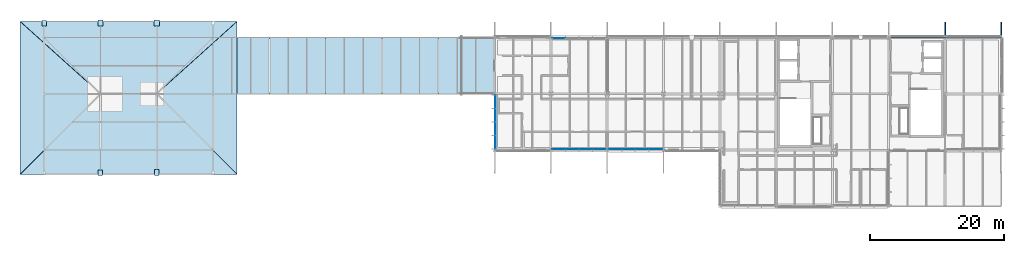
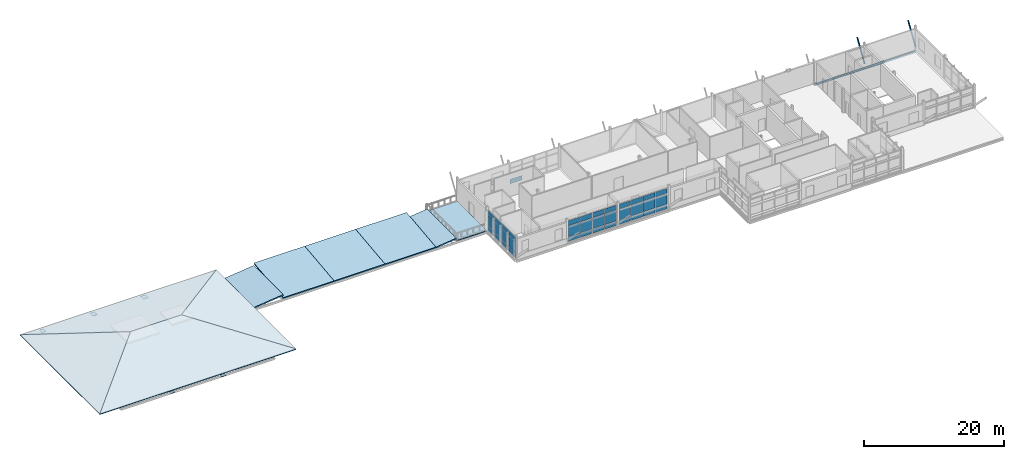
# One storey, part 26 of 35: 42 plates, 10 slabs, 2 beams, 2 members, 5 elements without a shape of their own.
"""IFC4 building model written with IfcOpenShell, lengths in metres."""

from ifc_helpers import new_model, si_unit, direction, frame, origin, origin_2d, place, context, subcontext, project, spatial, polyline, rectangle, hollow_rectangle, i_section, outline, extrude, material, layer, layer_set, material_profile, profile_set, type_object, element, aggregate, save


model = new_model("IFC4")

# Units and contexts
model_context = context("Model", 3, precision=1e-05, world=origin(), true_north=direction((0.0, 1.0)))
body_context = subcontext(model_context, "Body", "Model", "MODEL_VIEW")
ifc_project = project(units=[si_unit("LENGTHUNIT", "METRE"), si_unit("AREAUNIT", "SQUARE_METRE"), si_unit("VOLUMEUNIT", "CUBIC_METRE"), si_unit("PLANEANGLEUNIT", "RADIAN"), si_unit("MASSUNIT", "GRAM", prefix="KILO")], contexts=[model_context])

# Site, building, storey
site_placement = place(None, origin())
site = spatial("IfcSite", under=ifc_project, at=site_placement, CompositionType="ELEMENT")
building_placement = place(site_placement, origin())
building = spatial("IfcBuilding", under=site, at=building_placement, Name="Mersafa Astral City Hall", CompositionType="ELEMENT")
storey_placement = place(building_placement, frame((0.0, 0.0, 30.14990234375)))
storey = spatial("IfcBuildingStorey", under=building, at=storey_placement, Name="L07", CompositionType="ELEMENT", Elevation=30.14990234375)

# Beams
ifc_material_1 = material(Name="Steel S355", Category="steel")
ifc_material_profile_1 = material_profile(ifc_material_1, i_section(OverallWidth=0.159912109375, OverallDepth=0.330078125, WebThickness=0.007568359375, FlangeThickness=0.011474609375, FilletRadius=0.01806640625, at=origin_2d()), Name="IPE 330")
ifc_profile_set_1 = profile_set([ifc_material_profile_1], Name="Steel S355")
beam_type_1 = type_object("IfcBeamType", Name="STR-BM-SPANDREL-IPE330", PredefinedType="SPANDREL", material=ifc_profile_set_1)
beam_1_placement = place(storey_placement, frame((168.0029296875, 126.0, -0.33984375), z_axis=(1.0, 0.0, 0.0), x_axis=(0.0, 1.0, 0.0)))
element("IfcBeam", 1, at=beam_1_placement, inside=storey, type_object=beam_type_1, Name="L07 Primary girder X 20-15", PredefinedType="SPANDREL", context=body_context, shape_type="SweptSolid", body=[
    extrude(i_section(OverallWidth=0.159912109375, OverallDepth=0.330078125, WebThickness=0.007568359375, FlangeThickness=0.011474609375, FilletRadius=0.01806640625, at=origin_2d()), origin(), (0.0, 0.0, 1.0), 8.39404296875),
])
ifc_material_profile_2 = material_profile(ifc_material_1, i_section(OverallWidth=0.169921875, OverallDepth=0.360107421875, WebThickness=0.008056640625, FlangeThickness=0.0126953125, FilletRadius=0.01806640625, at=origin_2d()), Name="IPE 360")
ifc_profile_set_2 = profile_set([ifc_material_profile_2], Name="Steel S355")
beam_type_2 = type_object("IfcBeamType", Name="STR-BM-SPANDREL-IPE360", PredefinedType="SPANDREL", material=ifc_profile_set_2)
beam_2_placement = place(storey_placement, frame((176.403076171875, 126.0, -0.35498046875), z_axis=(1.0, 0.0, 0.0), x_axis=(0.0, 1.0, 0.0)))
element("IfcBeam", 2, at=beam_2_placement, inside=storey, type_object=beam_type_2, Name="L07 Primary girder X 21-15", PredefinedType="SPANDREL", context=body_context, shape_type="SweptSolid", body=[
    extrude(i_section(OverallWidth=0.169921875, OverallDepth=0.360107421875, WebThickness=0.008056640625, FlangeThickness=0.0126953125, FilletRadius=0.01806640625, at=origin_2d()), origin(), (0.0, 0.0, 1.0), 8.39404296875),
])

# Members
ifc_material_profile_3 = material_profile(ifc_material_1, hollow_rectangle(XDim=0.14990234375, YDim=0.25, WallThickness=0.010009765625, at=origin_2d()), Name="RHS 150x250x10")
ifc_profile_set_3 = profile_set([ifc_material_profile_3], Name="Steel S355")
member_type = type_object("IfcMemberType", Name="STR-MBR-STRUT-RHS150X250", PredefinedType="BRACE", material=ifc_profile_set_3)
for number, where, z_axis, x_axis, name in (
    (3, (176.39990234375, 126.0, 0.400146484375), (0.0, 0.535580111443, 0.844484425094), (-1.0, 0.0, 0.0), "L07 Raked cosmic eave strut ROOF-T6-V6 N-21"),
    (4, (184.800048828125, 126.0, 0.400146484375), (0.0, 0.535580111443, 0.844484425094), (-1.0, 0.0, 0.0), "L07 Raked cosmic eave strut ROOF-T6-V6 N-22"),
):
    element("IfcMember", number, at=place(storey_placement, frame(where, z_axis=z_axis, x_axis=x_axis)), inside=storey, type_object=member_type, Name=name, PredefinedType="BRACE", context=body_context, shape_type="SweptSolid", body=[
        extrude(hollow_rectangle(XDim=0.14990234375, YDim=0.25, WallThickness=0.010009765625, at=origin_2d()), origin(), (0.0, 0.0, 1.0), 4.01416015625),
    ])

# Curtain wall, plates
ifc_material_2 = material(Name="Anodised bronze aluminium framing", Category="aluminium")
curtain_wall_type_1 = type_object("IfcCurtainWallType", Name="ENV-CW-1", PredefinedType="USERDEFINED", material=ifc_material_2)
curtain_wall_1_placement = place(storey_placement, origin())
curtain_wall_1 = element("IfcCurtainWall", 5, at=curtain_wall_1_placement, inside=storey, type_object=curtain_wall_type_1, Name="L07 Unitised solar curtain wall 276", ObjectType="UNITISED CURTAIN WALL", PredefinedType="USERDEFINED")
ifc_material_3 = material(Name="Solar control low-e double glazing", Category="glass")
ifc_layer_1 = layer(ifc_material_3, 0.028076171875, Name="Solar control low-e double glazing")
ifc_layer_set_1 = layer_set([ifc_layer_1], Name="Solar control low-e double glazing — ENV-CW-PNL-GLZ-1")
plate_type_1 = type_object("IfcPlateType", Name="ENV-CW-PNL-GLZ-1", PredefinedType="CURTAIN_PANEL", material=ifc_layer_set_1)
plate_1_placement = place(storey_placement, frame((127.1865234375, 109.320068359375, 0.05810546875), z_axis=(0.0, 0.0, 1.0), x_axis=(1.0, 0.0, 0.0)))
plate_1 = element("IfcPlate", 6, at=plate_1_placement, type_object=plate_type_1, Name="CW-1 panel 1.1", PredefinedType="CURTAIN_PANEL", context=body_context, shape_type="SweptSolid", body=[
    extrude(rectangle(XDim=1.928955078125, YDim=0.028076171875, at=origin_2d()), origin(), (0.0, 0.0, 1.0), 0.761962890625),
])
plate_2_placement = place(storey_placement, frame((127.1865234375, 109.320068359375, 0.8798828125), z_axis=(0.0, 0.0, 1.0), x_axis=(1.0, 0.0, 0.0)))
plate_2 = element("IfcPlate", 7, at=plate_2_placement, type_object=plate_type_1, Name="CW-1 panel 1.2", PredefinedType="CURTAIN_PANEL", context=body_context, shape_type="SweptSolid", body=[
    extrude(rectangle(XDim=1.928955078125, YDim=0.028076171875, at=origin_2d()), origin(), (0.0, 0.0, 1.0), 1.840087890625),
])
plate_3_placement = place(storey_placement, frame((127.1865234375, 109.320068359375, 2.780029296875), z_axis=(0.0, 0.0, 1.0), x_axis=(1.0, 0.0, 0.0)))
plate_3 = element("IfcPlate", 8, at=plate_3_placement, type_object=plate_type_1, Name="CW-1 panel 1.3", PredefinedType="CURTAIN_PANEL", context=body_context, shape_type="SweptSolid", body=[
    extrude(rectangle(XDim=1.928955078125, YDim=0.028076171875, at=origin_2d()), origin(), (0.0, 0.0, 1.0), 0.8369140625),
])
plate_4_placement = place(storey_placement, frame((129.1904296875, 109.320068359375, 0.05810546875), z_axis=(0.0, 0.0, 1.0), x_axis=(1.0, 0.0, 0.0)))
plate_4 = element("IfcPlate", 9, at=plate_4_placement, type_object=plate_type_1, Name="CW-1 panel 2.1", PredefinedType="CURTAIN_PANEL", context=body_context, shape_type="SweptSolid", body=[
    extrude(rectangle(XDim=1.958984375, YDim=0.028076171875, at=origin_2d()), origin(), (0.0, 0.0, 1.0), 0.761962890625),
])
plate_5_placement = place(storey_placement, frame((129.1904296875, 109.320068359375, 0.8798828125), z_axis=(0.0, 0.0, 1.0), x_axis=(1.0, 0.0, 0.0)))
plate_5 = element("IfcPlate", 10, at=plate_5_placement, type_object=plate_type_1, Name="CW-1 panel 2.2", PredefinedType="CURTAIN_PANEL", context=body_context, shape_type="SweptSolid", body=[
    extrude(rectangle(XDim=1.958984375, YDim=0.028076171875, at=origin_2d()), origin(), (0.0, 0.0, 1.0), 1.840087890625),
])
plate_6_placement = place(storey_placement, frame((129.1904296875, 109.320068359375, 2.780029296875), z_axis=(0.0, 0.0, 1.0), x_axis=(1.0, 0.0, 0.0)))
plate_6 = element("IfcPlate", 11, at=plate_6_placement, type_object=plate_type_1, Name="CW-1 panel 2.3", PredefinedType="CURTAIN_PANEL", context=body_context, shape_type="SweptSolid", body=[
    extrude(rectangle(XDim=1.958984375, YDim=0.028076171875, at=origin_2d()), origin(), (0.0, 0.0, 1.0), 0.8369140625),
])
plate_7_placement = place(storey_placement, frame((131.20947265625, 109.320068359375, 0.05810546875), z_axis=(0.0, 0.0, 1.0), x_axis=(1.0, 0.0, 0.0)))
plate_7 = element("IfcPlate", 12, at=plate_7_placement, type_object=plate_type_1, Name="CW-1 panel 3.1", PredefinedType="CURTAIN_PANEL", context=body_context, shape_type="SweptSolid", body=[
    extrude(rectangle(XDim=1.958984375, YDim=0.028076171875, at=origin_2d()), origin(), (0.0, 0.0, 1.0), 0.761962890625),
])
plate_8_placement = place(storey_placement, frame((131.20947265625, 109.320068359375, 0.8798828125), z_axis=(0.0, 0.0, 1.0), x_axis=(1.0, 0.0, 0.0)))
plate_8 = element("IfcPlate", 13, at=plate_8_placement, type_object=plate_type_1, Name="CW-1 panel 3.2", PredefinedType="CURTAIN_PANEL", context=body_context, shape_type="SweptSolid", body=[
    extrude(rectangle(XDim=1.958984375, YDim=0.028076171875, at=origin_2d()), origin(), (0.0, 0.0, 1.0), 1.840087890625),
])
plate_9_placement = place(storey_placement, frame((131.20947265625, 109.320068359375, 2.780029296875), z_axis=(0.0, 0.0, 1.0), x_axis=(1.0, 0.0, 0.0)))
plate_9 = element("IfcPlate", 14, at=plate_9_placement, type_object=plate_type_1, Name="CW-1 panel 3.3", PredefinedType="CURTAIN_PANEL", context=body_context, shape_type="SweptSolid", body=[
    extrude(rectangle(XDim=1.958984375, YDim=0.028076171875, at=origin_2d()), origin(), (0.0, 0.0, 1.0), 0.8369140625),
])
plate_10_placement = place(storey_placement, frame((133.21337890625, 109.320068359375, 0.05810546875), z_axis=(0.0, 0.0, 1.0), x_axis=(1.0, 0.0, 0.0)))
plate_10 = element("IfcPlate", 15, at=plate_10_placement, type_object=plate_type_1, Name="CW-1 panel 4.1", PredefinedType="CURTAIN_PANEL", context=body_context, shape_type="SweptSolid", body=[
    extrude(rectangle(XDim=1.928955078125, YDim=0.028076171875, at=origin_2d()), origin(), (0.0, 0.0, 1.0), 0.761962890625),
])
plate_11_placement = place(storey_placement, frame((133.21337890625, 109.320068359375, 0.8798828125), z_axis=(0.0, 0.0, 1.0), x_axis=(1.0, 0.0, 0.0)))
plate_11 = element("IfcPlate", 16, at=plate_11_placement, type_object=plate_type_1, Name="CW-1 panel 4.2", PredefinedType="CURTAIN_PANEL", context=body_context, shape_type="SweptSolid", body=[
    extrude(rectangle(XDim=1.928955078125, YDim=0.028076171875, at=origin_2d()), origin(), (0.0, 0.0, 1.0), 1.840087890625),
])
plate_12_placement = place(storey_placement, frame((133.21337890625, 109.320068359375, 2.780029296875), z_axis=(0.0, 0.0, 1.0), x_axis=(1.0, 0.0, 0.0)))
plate_12 = element("IfcPlate", 17, at=plate_12_placement, type_object=plate_type_1, Name="CW-1 panel 4.3", PredefinedType="CURTAIN_PANEL", context=body_context, shape_type="SweptSolid", body=[
    extrude(rectangle(XDim=1.928955078125, YDim=0.028076171875, at=origin_2d()), origin(), (0.0, 0.0, 1.0), 0.8369140625),
])
aggregate(curtain_wall_1, [plate_1, plate_2, plate_3, plate_4, plate_5, plate_6, plate_7, plate_8, plate_9, plate_10, plate_11, plate_12])

# Curtain wall, plate
curtain_wall_type_2 = type_object("IfcCurtainWallType", Name="ENV-CW-4", PredefinedType="USERDEFINED", material=ifc_material_2)
curtain_wall_2_placement = place(storey_placement, origin())
curtain_wall_2 = element("IfcCurtainWall", 18, at=curtain_wall_2_placement, inside=storey, type_object=curtain_wall_type_2, Name="L07 Unitised solar curtain wall 273", ObjectType="UNITISED CURTAIN WALL", PredefinedType="USERDEFINED")
ifc_layer_2 = layer(ifc_material_3, 0.031982421875, Name="Solar control low-e double glazing")
ifc_layer_set_2 = layer_set([ifc_layer_2], Name="Solar control low-e double glazing — ENV-CW-PNL-GLZ-2")
plate_type_2 = type_object("IfcPlateType", Name="ENV-CW-PNL-GLZ-2", PredefinedType="CURTAIN_PANEL", material=ifc_layer_set_2)
plate_13_placement = place(storey_placement, frame((118.78662109375, 125.8798828125, 0.05810546875), z_axis=(0.0, 0.0, 1.0), x_axis=(-1.0, 0.0, 0.0)))
plate_13 = element("IfcPlate", 19, at=plate_13_placement, type_object=plate_type_2, Name="CW-4 panel 4.1", PredefinedType="CURTAIN_PANEL", context=body_context, shape_type="SweptSolid", body=[
    extrude(rectangle(XDim=1.928955078125, YDim=0.031982421875, at=origin_2d()), origin(), (0.0, 0.0, 1.0), 0.761962890625),
])
aggregate(curtain_wall_2, [plate_13])

# Curtain wall, plates
curtain_wall_type_3 = type_object("IfcCurtainWallType", Name="ENV-CW-5", PredefinedType="USERDEFINED", material=ifc_material_2)
curtain_wall_3_placement = place(storey_placement, origin())
curtain_wall_3 = element("IfcCurtainWall", 20, at=curtain_wall_3_placement, inside=storey, type_object=curtain_wall_type_3, Name="L07 Unitised solar curtain wall 274", ObjectType="UNITISED CURTAIN WALL", PredefinedType="USERDEFINED")
ifc_layer_3 = layer(ifc_material_3, 0.035888671875, Name="Solar control low-e double glazing")
ifc_layer_set_3 = layer_set([ifc_layer_3], Name="Solar control low-e double glazing — ENV-CW-PNL-GLZ-3")
plate_type_3 = type_object("IfcPlateType", Name="ENV-CW-PNL-GLZ-3", PredefinedType="CURTAIN_PANEL", material=ifc_layer_set_3)
plate_14_placement = place(storey_placement, frame((109.320068359375, 116.41357421875, 0.05810546875), z_axis=(0.0, 0.0, 1.0), x_axis=(0.0, -1.0, 0.0)))
plate_14 = element("IfcPlate", 21, at=plate_14_placement, type_object=plate_type_3, Name="CW-5 panel 1.1", PredefinedType="CURTAIN_PANEL", context=body_context, shape_type="SweptSolid", body=[
    extrude(rectangle(XDim=1.928955078125, YDim=0.035888671875, at=origin_2d()), origin(), (0.0, 0.0, 1.0), 0.761962890625),
])
plate_15_placement = place(storey_placement, frame((109.320068359375, 116.41357421875, 0.8798828125), z_axis=(0.0, 0.0, 1.0), x_axis=(0.0, -1.0, 0.0)))
plate_15 = element("IfcPlate", 22, at=plate_15_placement, type_object=plate_type_3, Name="CW-5 panel 1.2", PredefinedType="CURTAIN_PANEL", context=body_context, shape_type="SweptSolid", body=[
    extrude(rectangle(XDim=1.928955078125, YDim=0.035888671875, at=origin_2d()), origin(), (0.0, 0.0, 1.0), 1.840087890625),
])
plate_16_placement = place(storey_placement, frame((109.320068359375, 116.41357421875, 2.780029296875), z_axis=(0.0, 0.0, 1.0), x_axis=(0.0, -1.0, 0.0)))
plate_16 = element("IfcPlate", 23, at=plate_16_placement, type_object=plate_type_3, Name="CW-5 panel 1.3", PredefinedType="CURTAIN_PANEL", context=body_context, shape_type="SweptSolid", body=[
    extrude(rectangle(XDim=1.928955078125, YDim=0.035888671875, at=origin_2d()), origin(), (0.0, 0.0, 1.0), 0.8369140625),
])
plate_17_placement = place(storey_placement, frame((109.320068359375, 114.409423828125, 0.05810546875), z_axis=(0.0, 0.0, 1.0), x_axis=(0.0, -1.0, 0.0)))
plate_17 = element("IfcPlate", 24, at=plate_17_placement, type_object=plate_type_3, Name="CW-5 panel 2.1", PredefinedType="CURTAIN_PANEL", context=body_context, shape_type="SweptSolid", body=[
    extrude(rectangle(XDim=1.958984375, YDim=0.035888671875, at=origin_2d()), origin(), (0.0, 0.0, 1.0), 0.761962890625),
])
plate_18_placement = place(storey_placement, frame((109.320068359375, 114.409423828125, 0.8798828125), z_axis=(0.0, 0.0, 1.0), x_axis=(0.0, -1.0, 0.0)))
plate_18 = element("IfcPlate", 25, at=plate_18_placement, type_object=plate_type_3, Name="CW-5 panel 2.2", PredefinedType="CURTAIN_PANEL", context=body_context, shape_type="SweptSolid", body=[
    extrude(rectangle(XDim=1.958984375, YDim=0.035888671875, at=origin_2d()), origin(), (0.0, 0.0, 1.0), 1.840087890625),
])
plate_19_placement = place(storey_placement, frame((109.320068359375, 114.409423828125, 2.780029296875), z_axis=(0.0, 0.0, 1.0), x_axis=(0.0, -1.0, 0.0)))
plate_19 = element("IfcPlate", 26, at=plate_19_placement, type_object=plate_type_3, Name="CW-5 panel 2.3", PredefinedType="CURTAIN_PANEL", context=body_context, shape_type="SweptSolid", body=[
    extrude(rectangle(XDim=1.958984375, YDim=0.035888671875, at=origin_2d()), origin(), (0.0, 0.0, 1.0), 0.8369140625),
])
plate_20_placement = place(storey_placement, frame((109.320068359375, 112.390380859375, 0.05810546875), z_axis=(0.0, 0.0, 1.0), x_axis=(0.0, -1.0, 0.0)))
plate_20 = element("IfcPlate", 27, at=plate_20_placement, type_object=plate_type_3, Name="CW-5 panel 3.1", PredefinedType="CURTAIN_PANEL", context=body_context, shape_type="SweptSolid", body=[
    extrude(rectangle(XDim=1.958984375, YDim=0.035888671875, at=origin_2d()), origin(), (0.0, 0.0, 1.0), 0.761962890625),
])
plate_21_placement = place(storey_placement, frame((109.320068359375, 112.390380859375, 0.8798828125), z_axis=(0.0, 0.0, 1.0), x_axis=(0.0, -1.0, 0.0)))
plate_21 = element("IfcPlate", 28, at=plate_21_placement, type_object=plate_type_3, Name="CW-5 panel 3.2", PredefinedType="CURTAIN_PANEL", context=body_context, shape_type="SweptSolid", body=[
    extrude(rectangle(XDim=1.958984375, YDim=0.035888671875, at=origin_2d()), origin(), (0.0, 0.0, 1.0), 1.840087890625),
])
plate_22_placement = place(storey_placement, frame((109.320068359375, 112.390380859375, 2.780029296875), z_axis=(0.0, 0.0, 1.0), x_axis=(0.0, -1.0, 0.0)))
plate_22 = element("IfcPlate", 29, at=plate_22_placement, type_object=plate_type_3, Name="CW-5 panel 3.3", PredefinedType="CURTAIN_PANEL", context=body_context, shape_type="SweptSolid", body=[
    extrude(rectangle(XDim=1.958984375, YDim=0.035888671875, at=origin_2d()), origin(), (0.0, 0.0, 1.0), 0.8369140625),
])
plate_23_placement = place(storey_placement, frame((109.320068359375, 110.386474609375, 0.05810546875), z_axis=(0.0, 0.0, 1.0), x_axis=(0.0, -1.0, 0.0)))
plate_23 = element("IfcPlate", 30, at=plate_23_placement, type_object=plate_type_3, Name="CW-5 panel 4.1", PredefinedType="CURTAIN_PANEL", context=body_context, shape_type="SweptSolid", body=[
    extrude(rectangle(XDim=1.928955078125, YDim=0.035888671875, at=origin_2d()), origin(), (0.0, 0.0, 1.0), 0.761962890625),
])
plate_24_placement = place(storey_placement, frame((109.320068359375, 110.386474609375, 0.8798828125), z_axis=(0.0, 0.0, 1.0), x_axis=(0.0, -1.0, 0.0)))
plate_24 = element("IfcPlate", 31, at=plate_24_placement, type_object=plate_type_3, Name="CW-5 panel 4.2", PredefinedType="CURTAIN_PANEL", context=body_context, shape_type="SweptSolid", body=[
    extrude(rectangle(XDim=1.928955078125, YDim=0.035888671875, at=origin_2d()), origin(), (0.0, 0.0, 1.0), 1.840087890625),
])
plate_25_placement = place(storey_placement, frame((109.320068359375, 110.386474609375, 2.780029296875), z_axis=(0.0, 0.0, 1.0), x_axis=(0.0, -1.0, 0.0)))
plate_25 = element("IfcPlate", 32, at=plate_25_placement, type_object=plate_type_3, Name="CW-5 panel 4.3", PredefinedType="CURTAIN_PANEL", context=body_context, shape_type="SweptSolid", body=[
    extrude(rectangle(XDim=1.928955078125, YDim=0.035888671875, at=origin_2d()), origin(), (0.0, 0.0, 1.0), 0.8369140625),
])
aggregate(curtain_wall_3, [plate_14, plate_15, plate_16, plate_17, plate_18, plate_19, plate_20, plate_21, plate_22, plate_23, plate_24, plate_25])

curtain_wall_type_4 = type_object("IfcCurtainWallType", Name="ENV-CW-6", PredefinedType="USERDEFINED", material=ifc_material_2)
curtain_wall_4_placement = place(storey_placement, origin())
curtain_wall_4 = element("IfcCurtainWall", 33, at=curtain_wall_4_placement, inside=storey, type_object=curtain_wall_type_4, Name="L07 Unitised solar curtain wall 275", ObjectType="UNITISED CURTAIN WALL", PredefinedType="USERDEFINED")
ifc_layer_4 = layer(ifc_material_3, 0.0400390625, Name="Solar control low-e double glazing")
ifc_layer_set_4 = layer_set([ifc_layer_4], Name="Solar control low-e double glazing — ENV-CW-PNL-GLZ-4")
plate_type_4 = type_object("IfcPlateType", Name="ENV-CW-PNL-GLZ-4", PredefinedType="CURTAIN_PANEL", material=ifc_layer_set_4)
plate_26_placement = place(storey_placement, frame((118.78662109375, 109.320068359375, 0.05810546875), z_axis=(0.0, 0.0, 1.0), x_axis=(1.0, 0.0, 0.0)))
plate_26 = element("IfcPlate", 34, at=plate_26_placement, type_object=plate_type_4, Name="CW-6 panel 1.1", PredefinedType="CURTAIN_PANEL", context=body_context, shape_type="SweptSolid", body=[
    extrude(rectangle(XDim=1.928955078125, YDim=0.0400390625, at=origin_2d()), origin(), (0.0, 0.0, 1.0), 0.761962890625),
])
plate_27_placement = place(storey_placement, frame((118.78662109375, 109.320068359375, 0.8798828125), z_axis=(0.0, 0.0, 1.0), x_axis=(1.0, 0.0, 0.0)))
plate_27 = element("IfcPlate", 35, at=plate_27_placement, type_object=plate_type_4, Name="CW-6 panel 1.2", PredefinedType="CURTAIN_PANEL", context=body_context, shape_type="SweptSolid", body=[
    extrude(rectangle(XDim=1.928955078125, YDim=0.0400390625, at=origin_2d()), origin(), (0.0, 0.0, 1.0), 1.840087890625),
])
plate_28_placement = place(storey_placement, frame((118.78662109375, 109.320068359375, 2.7802734375), z_axis=(0.0, 0.0, 1.0), x_axis=(1.0, 0.0, 0.0)))
plate_28 = element("IfcPlate", 36, at=plate_28_placement, type_object=plate_type_4, Name="CW-6 panel 1.3", PredefinedType="CURTAIN_PANEL", context=body_context, shape_type="SweptSolid", body=[
    extrude(rectangle(XDim=1.928955078125, YDim=0.0400390625, at=origin_2d()), origin(), (0.0, 0.0, 1.0), 0.866943359375),
])
plate_29_placement = place(storey_placement, frame((120.79052734375, 109.320068359375, 0.05810546875), z_axis=(0.0, 0.0, 1.0), x_axis=(1.0, 0.0, 0.0)))
plate_29 = element("IfcPlate", 37, at=plate_29_placement, type_object=plate_type_4, Name="CW-6 panel 2.1", PredefinedType="CURTAIN_PANEL", context=body_context, shape_type="SweptSolid", body=[
    extrude(rectangle(XDim=1.958984375, YDim=0.0400390625, at=origin_2d()), origin(), (0.0, 0.0, 1.0), 0.761962890625),
])
plate_30_placement = place(storey_placement, frame((120.79052734375, 109.320068359375, 0.8798828125), z_axis=(0.0, 0.0, 1.0), x_axis=(1.0, 0.0, 0.0)))
plate_30 = element("IfcPlate", 38, at=plate_30_placement, type_object=plate_type_4, Name="CW-6 panel 2.2", PredefinedType="CURTAIN_PANEL", context=body_context, shape_type="SweptSolid", body=[
    extrude(rectangle(XDim=1.958984375, YDim=0.0400390625, at=origin_2d()), origin(), (0.0, 0.0, 1.0), 1.840087890625),
])
plate_31_placement = place(storey_placement, frame((120.79052734375, 109.320068359375, 2.7802734375), z_axis=(0.0, 0.0, 1.0), x_axis=(1.0, 0.0, 0.0)))
plate_31 = element("IfcPlate", 39, at=plate_31_placement, type_object=plate_type_4, Name="CW-6 panel 2.3", PredefinedType="CURTAIN_PANEL", context=body_context, shape_type="SweptSolid", body=[
    extrude(rectangle(XDim=1.958984375, YDim=0.0400390625, at=origin_2d()), origin(), (0.0, 0.0, 1.0), 0.866943359375),
])
plate_32_placement = place(storey_placement, frame((122.8095703125, 109.320068359375, 0.05810546875), z_axis=(0.0, 0.0, 1.0), x_axis=(1.0, 0.0, 0.0)))
plate_32 = element("IfcPlate", 40, at=plate_32_placement, type_object=plate_type_4, Name="CW-6 panel 3.1", PredefinedType="CURTAIN_PANEL", context=body_context, shape_type="SweptSolid", body=[
    extrude(rectangle(XDim=1.958984375, YDim=0.0400390625, at=origin_2d()), origin(), (0.0, 0.0, 1.0), 0.761962890625),
])
plate_33_placement = place(storey_placement, frame((122.8095703125, 109.320068359375, 0.8798828125), z_axis=(0.0, 0.0, 1.0), x_axis=(1.0, 0.0, 0.0)))
plate_33 = element("IfcPlate", 41, at=plate_33_placement, type_object=plate_type_4, Name="CW-6 panel 3.2", PredefinedType="CURTAIN_PANEL", context=body_context, shape_type="SweptSolid", body=[
    extrude(rectangle(XDim=1.958984375, YDim=0.0400390625, at=origin_2d()), origin(), (0.0, 0.0, 1.0), 1.840087890625),
])
plate_34_placement = place(storey_placement, frame((122.8095703125, 109.320068359375, 2.7802734375), z_axis=(0.0, 0.0, 1.0), x_axis=(1.0, 0.0, 0.0)))
plate_34 = element("IfcPlate", 42, at=plate_34_placement, type_object=plate_type_4, Name="CW-6 panel 3.3", PredefinedType="CURTAIN_PANEL", context=body_context, shape_type="SweptSolid", body=[
    extrude(rectangle(XDim=1.958984375, YDim=0.0400390625, at=origin_2d()), origin(), (0.0, 0.0, 1.0), 0.866943359375),
])
plate_35_placement = place(storey_placement, frame((124.8134765625, 109.320068359375, 0.05810546875), z_axis=(0.0, 0.0, 1.0), x_axis=(1.0, 0.0, 0.0)))
plate_35 = element("IfcPlate", 43, at=plate_35_placement, type_object=plate_type_4, Name="CW-6 panel 4.1", PredefinedType="CURTAIN_PANEL", context=body_context, shape_type="SweptSolid", body=[
    extrude(rectangle(XDim=1.928955078125, YDim=0.0400390625, at=origin_2d()), origin(), (0.0, 0.0, 1.0), 0.761962890625),
])
plate_36_placement = place(storey_placement, frame((124.8134765625, 109.320068359375, 0.8798828125), z_axis=(0.0, 0.0, 1.0), x_axis=(1.0, 0.0, 0.0)))
plate_36 = element("IfcPlate", 44, at=plate_36_placement, type_object=plate_type_4, Name="CW-6 panel 4.2", PredefinedType="CURTAIN_PANEL", context=body_context, shape_type="SweptSolid", body=[
    extrude(rectangle(XDim=1.928955078125, YDim=0.0400390625, at=origin_2d()), origin(), (0.0, 0.0, 1.0), 1.840087890625),
])
plate_37_placement = place(storey_placement, frame((124.8134765625, 109.320068359375, 2.7802734375), z_axis=(0.0, 0.0, 1.0), x_axis=(1.0, 0.0, 0.0)))
plate_37 = element("IfcPlate", 45, at=plate_37_placement, type_object=plate_type_4, Name="CW-6 panel 4.3", PredefinedType="CURTAIN_PANEL", context=body_context, shape_type="SweptSolid", body=[
    extrude(rectangle(XDim=1.928955078125, YDim=0.0400390625, at=origin_2d()), origin(), (0.0, 0.0, 1.0), 0.866943359375),
])
aggregate(curtain_wall_4, [plate_26, plate_27, plate_28, plate_29, plate_30, plate_31, plate_32, plate_33, plate_34, plate_35, plate_36, plate_37])

# Plates
ifc_layer_5 = layer(ifc_material_1, 0.02294921875, Name="Steel S355")
ifc_layer_set_5 = layer_set([ifc_layer_5], Name="Steel S355 — STR-PLT-NP-30")
plate_type_5 = type_object("IfcPlateType", Name="STR-PLT-NP-30", PredefinedType="SHEET", material=ifc_layer_set_5)
plate_38_placement = place(storey_placement, frame((42.0, 128.14990234375, -0.42138671875), z_axis=(0.0, 0.0, 1.0), x_axis=(1.0, 0.0, 0.0)))
element("IfcPlate", 46, at=plate_38_placement, inside=storey, type_object=plate_type_5, Name="L07 Structural steel eave strut node plate NP-30", PredefinedType="SHEET", context=body_context, shape_type="SweptSolid", body=[
    extrude(rectangle(XDim=0.659912109375, YDim=0.81005859375, at=origin_2d()), origin(), (0.0, 0.0, 1.0), 0.02294921875),
])
ifc_layer_6 = layer(ifc_material_1, 0.02392578125, Name="Steel S355")
ifc_layer_set_6 = layer_set([ifc_layer_6], Name="Steel S355 — STR-PLT-NP-31")
plate_type_6 = type_object("IfcPlateType", Name="STR-PLT-NP-31", PredefinedType="SHEET", material=ifc_layer_set_6)
plate_39_placement = place(storey_placement, frame((50.39990234375, 105.85009765625, -0.421875), z_axis=(0.0, 0.0, 1.0), x_axis=(1.0, 0.0, 0.0)))
element("IfcPlate", 47, at=plate_39_placement, inside=storey, type_object=plate_type_6, Name="L07 Structural steel eave strut node plate NP-31", PredefinedType="SHEET", context=body_context, shape_type="SweptSolid", body=[
    extrude(rectangle(XDim=0.68505859375, YDim=0.840087890625, at=origin_2d()), origin(), (0.0, 0.0, 1.0), 0.02392578125),
])
ifc_layer_7 = layer(ifc_material_1, 0.02490234375, Name="Steel S355")
ifc_layer_set_7 = layer_set([ifc_layer_7], Name="Steel S355 — STR-PLT-NP-32")
plate_type_7 = type_object("IfcPlateType", Name="STR-PLT-NP-32", PredefinedType="SHEET", material=ifc_layer_set_7)
plate_40_placement = place(storey_placement, frame((50.39990234375, 128.14990234375, -0.42236328125), z_axis=(0.0, 0.0, 1.0), x_axis=(1.0, 0.0, 0.0)))
element("IfcPlate", 48, at=plate_40_placement, inside=storey, type_object=plate_type_7, Name="L07 Structural steel eave strut node plate NP-32", PredefinedType="SHEET", context=body_context, shape_type="SweptSolid", body=[
    extrude(rectangle(XDim=0.7099609375, YDim=0.8701171875, at=origin_2d()), origin(), (0.0, 0.0, 1.0), 0.02490234375),
])
ifc_layer_8 = layer(ifc_material_1, 0.02587890625, Name="Steel S355")
ifc_layer_set_8 = layer_set([ifc_layer_8], Name="Steel S355 — STR-PLT-NP-33")
plate_type_8 = type_object("IfcPlateType", Name="STR-PLT-NP-33", PredefinedType="SHEET", material=ifc_layer_set_8)
plate_41_placement = place(storey_placement, frame((58.800048828125, 105.85009765625, -0.4228515625), z_axis=(0.0, 0.0, 1.0), x_axis=(1.0, 0.0, 0.0)))
element("IfcPlate", 49, at=plate_41_placement, inside=storey, type_object=plate_type_8, Name="L07 Structural steel eave strut node plate NP-33", PredefinedType="SHEET", context=body_context, shape_type="SweptSolid", body=[
    extrude(rectangle(XDim=0.735107421875, YDim=0.89990234375, at=origin_2d()), origin(), (0.0, 0.0, 1.0), 0.02587890625),
])
ifc_layer_9 = layer(ifc_material_1, 0.027099609375, Name="Steel S355")
ifc_layer_set_9 = layer_set([ifc_layer_9], Name="Steel S355 — STR-PLT-NP-34")
plate_type_9 = type_object("IfcPlateType", Name="STR-PLT-NP-34", PredefinedType="SHEET", material=ifc_layer_set_9)
plate_42_placement = place(storey_placement, frame((58.800048828125, 128.14990234375, -0.42333984375), z_axis=(0.0, 0.0, 1.0), x_axis=(1.0, 0.0, 0.0)))
element("IfcPlate", 50, at=plate_42_placement, inside=storey, type_object=plate_type_9, Name="L07 Structural steel eave strut node plate NP-34", PredefinedType="SHEET", context=body_context, shape_type="SweptSolid", body=[
    extrude(rectangle(XDim=0.760009765625, YDim=0.929931640625, at=origin_2d()), origin(), (0.0, 0.0, 1.0), 0.027099609375),
])

# Slabs
ifc_material_4 = material(Name="Concrete C40/50", Category="concrete")
ifc_layer_10 = layer(ifc_material_4, 0.199951171875, Name="Concrete C40/50")
ifc_layer_set_10 = layer_set([ifc_layer_10], Name="Concrete C40/50 — STR-SLAB-ROOF-200")
slab_type_1 = type_object("IfcSlabType", Name="STR-SLAB-ROOF-200", PredefinedType="ROOF", material=ifc_layer_set_10)
slab_1_placement = place(storey_placement, frame((70.80810546875, 117.60009765625, 0.0), z_axis=(-0.114285986307, 0.0, 0.993447891605), x_axis=(0.993447891605, 0.0, 0.114285986307)))
element("IfcSlab", 51, at=slab_1_placement, inside=storey, type_object=slab_type_1, Name="L07 Scupper-sloped wing roof slab 1-1", PredefinedType="ROOF", context=body_context, shape_type="SweptSolid", body=[
    extrude(outline(polyline([(0.0, 0.0), (4.823596917358004, 0.0), (4.823596917358004, 8.39990234375), (0.0, 8.39990234375), (0.0, 0.0)])), origin(), (0.0, 0.0, -1.0), 0.199951171875),
])
for number, where, z_axis, x_axis, name in (
    (52, (75.60009765625, 117.60009765625, 0.0), (0.0, -0.11425585713, 0.993451357194), (1.0, 0.0, 0.0), "L07 Scupper-sloped wing roof slab 1-2"),
    (53, (84.0, 117.60009765625, 0.0), (0.0, -0.11425585713, 0.993451357194), (1.0, 0.0, 0.0), "L07 Scupper-sloped wing roof slab 1-3"),
):
    element("IfcSlab", number, at=place(storey_placement, frame(where, z_axis=z_axis, x_axis=x_axis)), inside=storey, type_object=slab_type_1, Name=name, PredefinedType="ROOF", context=body_context, shape_type="SweptSolid", body=[
        extrude(outline(polyline([(0.0, 0.0), (8.39990234375, 0.0), (8.39990234375, 8.455272905833874), (0.0, 8.455272905833874), (0.0, 0.0)])), origin(), (0.0, 0.0, -1.0), 0.199951171875),
    ])
slab_2_placement = place(storey_placement, frame((92.39990234375, 117.60009765625, 0.0), z_axis=(0.0, -0.11425585713, 0.993451357194), x_axis=(1.0, 0.0, 0.0)))
element("IfcSlab", 54, at=slab_2_placement, inside=storey, type_object=slab_type_1, Name="L07 Scupper-sloped wing roof slab 1-4", PredefinedType="ROOF", context=body_context, shape_type="SweptSolid", body=[
    extrude(outline(polyline([(0.0, 0.0), (8.400146484375, 0.0), (8.400146484375, 8.455272905833876), (0.0, 8.455272905833876), (0.0, 0.0)])), origin(), (0.0, 0.0, -1.0), 0.199951171875),
])
slab_3_placement = place(storey_placement, frame((104.19189453125, 126.0, 0.39013671875), z_axis=(-0.114268547923, 0.0, 0.993449897557), x_axis=(-0.993449897557, 0.0, -0.114268547923)))
element("IfcSlab", 55, at=slab_3_placement, inside=storey, type_object=slab_type_1, Name="L07 Scupper-sloped wing roof slab 1-5", PredefinedType="ROOF", context=body_context, shape_type="SweptSolid", body=[
    extrude(outline(polyline([(0.0, 0.0), (3.4142091226409295, 0.0), (3.4142091226409295, 8.399902343750002), (0.0, 8.399902343750002), (0.0, 0.0)])), origin(), (0.0, 0.0, -1.0), 0.199951171875),
])

# Roof, slabs
ifc_material_5 = material(Name="Egyptian ceramic terracotta roof tile", Category="masonry")
roof_type = type_object("IfcRoofType", Name="ARCH-ROOF-HIP", PredefinedType="HIP_ROOF", material=ifc_material_5)
roof_placement = place(storey_placement, origin())
roof = element("IfcRoof", 56, at=roof_placement, inside=storey, type_object=roof_type, Name="L07 Warm terracotta hipped roof ROOF-T5-V4N", PredefinedType="HIP_ROOF")
ifc_layer_11 = layer(ifc_material_4, 0.159912109375, Name="Concrete C40/50")
ifc_layer_set_11 = layer_set([ifc_layer_11], Name="Concrete C40/50 — STR-SLAB-ROOF-HIP-160")
slab_type_2 = type_object("IfcSlabType", Name="STR-SLAB-ROOF-HIP-160", PredefinedType="ROOF", material=ifc_layer_set_11)
slab_4_placement = place(storey_placement, frame((38.39990234375, 105.60009765625, 0.0), z_axis=(0.0, -0.233457500114, 0.97236700666), x_axis=(1.0, 0.0, 0.0)))
slab_4 = element("IfcSlab", 57, at=slab_4_placement, type_object=slab_type_2, Name="L07 Sloped hipped roof slab ROOF-T5-V4N S", PredefinedType="ROOF", context=body_context, shape_type="SweptSolid", body=[
    extrude(outline(polyline([(0.0, 0.0), (32.400146484375, 0.0), (20.400146484375, 12.34101930424496), (12.0, 12.34101930424496), (0.0, 0.0)])), origin(), (0.0, 0.0, -1.0), 0.159912109375),
])
slab_5_placement = place(storey_placement, frame((70.800048828125, 128.39990234375, 0.0), z_axis=(0.0, 0.257759171624, 0.966209195487), x_axis=(-1.0, 0.0, 0.0)))
slab_5 = element("IfcSlab", 58, at=slab_5_placement, type_object=slab_type_2, Name="L07 Sloped hipped roof slab ROOF-T5-V4N N", PredefinedType="ROOF", context=body_context, shape_type="SweptSolid", body=[
    extrude(outline(polyline([(0.0, 0.0), (32.400146484375, 0.0), (20.400146484375, 11.177501454077012), (12.0, 11.177501454077012), (0.0, 0.0)])), origin(), (0.0, 0.0, -1.0), 0.159912109375),
])
slab_6_placement = place(storey_placement, frame((38.39990234375, 128.39990234375, 0.0), z_axis=(-0.233457500114, 0.0, 0.97236700666), x_axis=(0.0, -1.0, 0.0)))
slab_6 = element("IfcSlab", 59, at=slab_6_placement, type_object=slab_type_2, Name="L07 Sloped hipped roof slab ROOF-T5-V4N W", PredefinedType="ROOF", context=body_context, shape_type="SweptSolid", body=[
    extrude(outline(polyline([(0.0, 0.0), (22.7998046875, 0.0), (10.7998046875, 12.341019304244961), (0.0, 0.0)])), origin(), (0.0, 0.0, -1.0), 0.159912109375),
])
slab_7_placement = place(storey_placement, frame((70.800048828125, 105.60009765625, 0.0), z_axis=(0.233457500114, 0.0, 0.97236700666), x_axis=(0.0, 1.0, 0.0)))
slab_7 = element("IfcSlab", 60, at=slab_7_placement, type_object=slab_type_2, Name="L07 Sloped hipped roof slab ROOF-T5-V4N E", PredefinedType="ROOF", context=body_context, shape_type="SweptSolid", body=[
    extrude(outline(polyline([(0.0, 0.0), (22.7998046875, 0.0), (12.0, 12.341019304244961), (0.0, 0.0)])), origin(), (0.0, 0.0, -1.0), 0.159912109375),
])
aggregate(roof, [slab_4, slab_5, slab_6, slab_7])

# Slab
ifc_material_6 = material(Name="Concrete C35/45", Category="concrete")
ifc_layer_12 = layer(ifc_material_6, 0.175048828125, Name="Concrete C35/45")
ifc_layer_set_12 = layer_set([ifc_layer_12], Name="Concrete C35/45 — STR-SLAB-TER-175")
slab_type_3 = type_object("IfcSlabType", Name="STR-SLAB-TER-175", PredefinedType="FLOOR", material=ifc_layer_set_12)
slab_8_placement = place(storey_placement, frame((0.0, 0.0, -0.1748046875)))
element("IfcSlab", 61, at=slab_8_placement, inside=storey, type_object=slab_type_3, Name="L07 Stepped outdoor civic terrace slab TER-L07-V6W", PredefinedType="FLOOR", context=body_context, shape_type="SweptSolid", body=[
    extrude(outline(polyline([(104.199951171875, 117.60009765625), (104.199951171875, 126.0), (109.19189453125, 126.0), (109.19189453125, 117.60009765625), (104.199951171875, 117.60009765625)])), origin(), (0.0, 0.0, 1.0), 0.1748046875),
])

save(model, "model.ifc")
